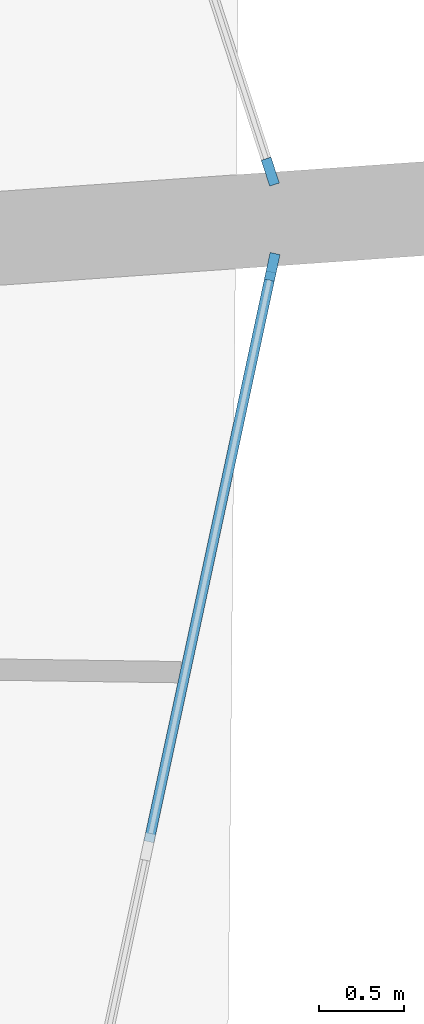
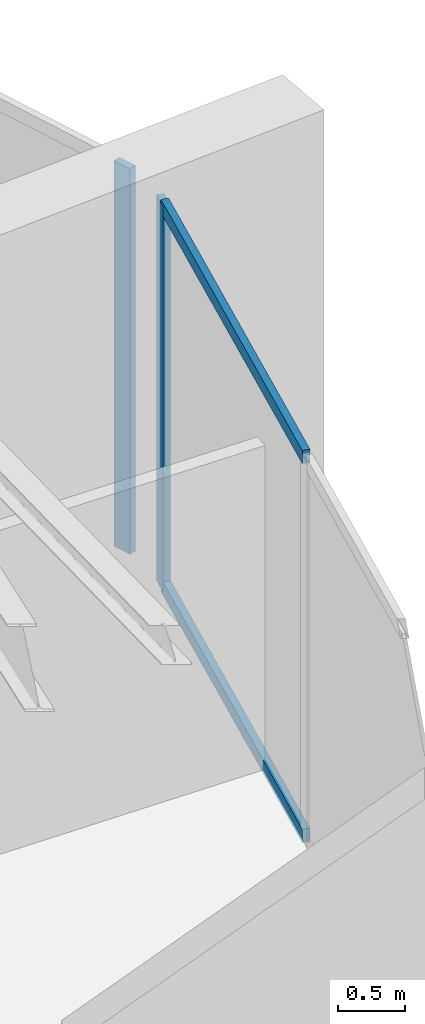
# One storey, part 17 of 31: 4 members, 2 elements without a shape of their own.
"""IFC4 building model written with IfcOpenShell, lengths in metres."""

from ifc_helpers import new_model, si_unit, direction, frame, origin, origin_2d, place, context, subcontext, project, spatial, rectangle, extrude, material, layer, layer_set, material_profile, profile_set, type_object, element, aggregate, save


model = new_model("IFC4")

# Units and contexts
model_context = context("Model", 3, precision=1e-05, world=origin(), true_north=direction((0.0, 1.0)))
body_context = subcontext(model_context, "Body", "Model", "MODEL_VIEW")
ifc_project = project(units=[si_unit("LENGTHUNIT", "METRE"), si_unit("AREAUNIT", "SQUARE_METRE"), si_unit("VOLUMEUNIT", "CUBIC_METRE"), si_unit("PLANEANGLEUNIT", "RADIAN"), si_unit("MASSUNIT", "GRAM", prefix="KILO")], contexts=[model_context])

# Site, building, storey
site_placement = place(None, origin())
site = spatial("IfcSite", under=ifc_project, at=site_placement, CompositionType="ELEMENT")
building_placement = place(site_placement, origin())
building = spatial("IfcBuilding", under=site, at=building_placement, Name="Kazma Halo Residences", CompositionType="ELEMENT")
storey_placement = place(building_placement, frame((0.0, 0.0, 41.39990234375)))
storey = spatial("IfcBuildingStorey", under=building, at=storey_placement, Name="L09", CompositionType="ELEMENT", Elevation=41.39990234375)

# Curtain wall, member
ifc_material_1 = material(Name="Aluminium AW-6063 T6 and Triple-Silver Low-E Glass", Category="aluminium")
ifc_layer = layer(ifc_material_1, 0.159912109375)
ifc_layer_set = layer_set([ifc_layer], Name="Aluminium AW-6063 T6 and Triple-Silver Low-E Glass")
curtain_wall_type = type_object("IfcCurtainWallType", Name="CW-SYS-2", PredefinedType="NOTDEFINED", material=ifc_layer_set)
curtain_wall_1_placement = place(storey_placement, origin())
curtain_wall_1 = element("IfcCurtainWall", 1, at=curtain_wall_1_placement, inside=storey, type_object=curtain_wall_type, Name="L09 unitised curtain wall B15", PredefinedType="NOTDEFINED")
ifc_material_2 = material(Name="Aluminium AW-6063 T6", Category="aluminium")
ifc_material_profile_1 = material_profile(ifc_material_2, rectangle(XDim=0.06005859375, YDim=0.159912109375, at=origin_2d()), Name="CWM-60x160")
ifc_profile_set_1 = profile_set([ifc_material_profile_1], Name="Aluminium AW-6063 T6")
member_type_1 = type_object("IfcMemberType", Name="CW-SYS-2-MUL", PredefinedType="MULLION", material=ifc_profile_set_1)
member_1_placement = place(storey_placement, frame((79.74951171875, 43.940673828125, 0.0), z_axis=(0.0, 0.0, 1.0), x_axis=(-0.977779215096, 0.209637321406, 0.0)))
member_1 = element("IfcMember", 2, at=member_1_placement, type_object=member_type_1, Name="CWS-2 mullion 4", PredefinedType="MULLION", context=body_context, shape_type="SweptSolid", body=[
    extrude(rectangle(XDim=0.06005859375, YDim=0.159912109375, at=origin_2d()), origin(), (0.0, 0.0, 1.0), 3.5),
])

curtain_wall_2_placement = place(storey_placement, origin())
curtain_wall_2 = element("IfcCurtainWall", 3, at=curtain_wall_2_placement, inside=storey, type_object=curtain_wall_type, Name="L09 unitised curtain wall B16", PredefinedType="NOTDEFINED")
member_2_placement = place(storey_placement, frame((79.73828125, 44.499267578125, 0.0), z_axis=(0.0, 0.0, 1.0), x_axis=(-0.95105652404, -0.309016970539, 0.0)))
member_2 = element("IfcMember", 4, at=member_2_placement, type_object=member_type_1, Name="CWS-2 mullion 1", PredefinedType="MULLION", context=body_context, shape_type="SweptSolid", body=[
    extrude(rectangle(XDim=0.06005859375, YDim=0.159912109375, at=origin_2d()), origin(), (0.0, 0.0, 1.0), 3.5),
])
aggregate(curtain_wall_2, [member_2])

# Member
ifc_material_profile_2 = material_profile(ifc_material_2, rectangle(XDim=0.06005859375, YDim=0.1201171875, at=origin_2d()), Name="CWT-60x120")
ifc_profile_set_2 = profile_set([ifc_material_profile_2], Name="Aluminium AW-6063 T6")
member_type_2 = type_object("IfcMemberType", Name="CW-SYS-2-TRN", PredefinedType="USERDEFINED", material=ifc_profile_set_2)
member_3_placement = place(storey_placement, frame((79.025634765625, 40.565185546875, 0.030029296875), z_axis=(0.209665500897, 0.977773172946, 0.0), x_axis=(-0.977773172946, 0.209665500897, 0.0)))
member_3 = element("IfcMember", 5, at=member_3_placement, type_object=member_type_2, Name="CWS-2 transom 3.1", ObjectType="TRANSOM", PredefinedType="USERDEFINED", context=body_context, shape_type="SweptSolid", body=[
    extrude(rectangle(XDim=0.06005859375, YDim=0.1201171875, at=origin_2d()), origin(), (0.0, 0.0, 1.0), 3.42236328125),
])

member_4_placement = place(storey_placement, frame((79.025634765625, 40.565185546875, 3.47021484375), z_axis=(0.209665500897, 0.977773172946, 0.0), x_axis=(-0.977773172946, 0.209665500897, 0.0)))
member_4 = element("IfcMember", 6, at=member_4_placement, type_object=member_type_2, Name="CWS-2 transom 3.2", ObjectType="TRANSOM", PredefinedType="USERDEFINED", context=body_context, shape_type="SweptSolid", body=[
    extrude(rectangle(XDim=0.06005859375, YDim=0.1201171875, at=origin_2d()), origin(), (0.0, 0.0, 1.0), 3.42236328125),
])

aggregate(curtain_wall_1, [member_1, member_3, member_4])

save(model, "model.ifc")
